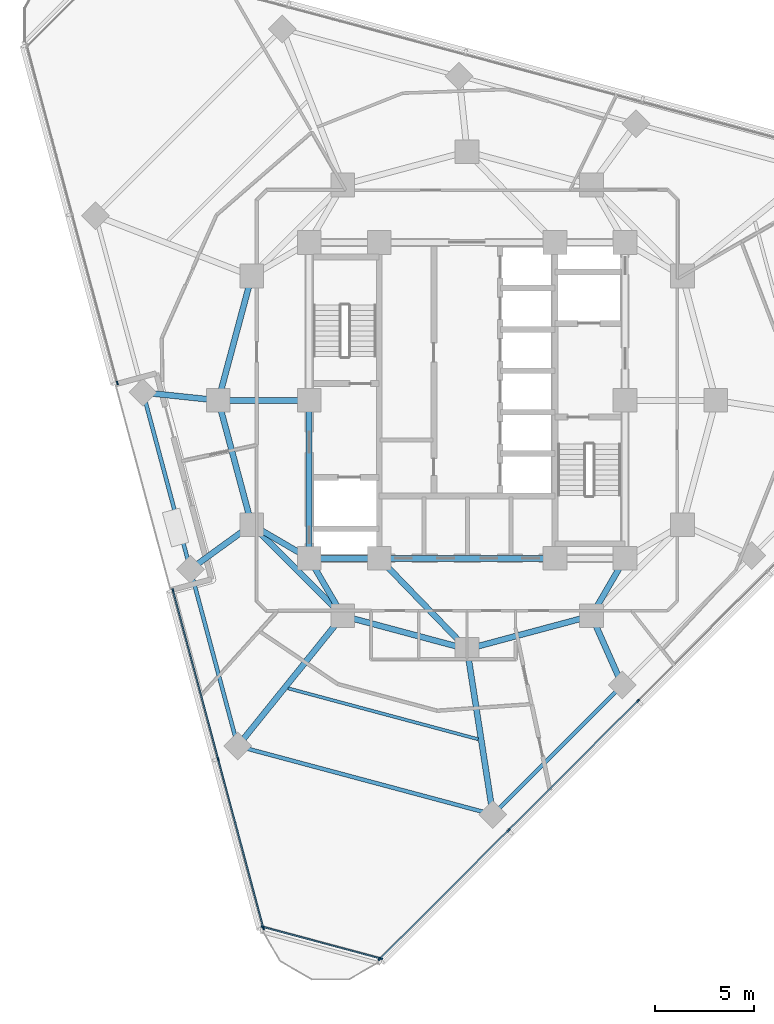
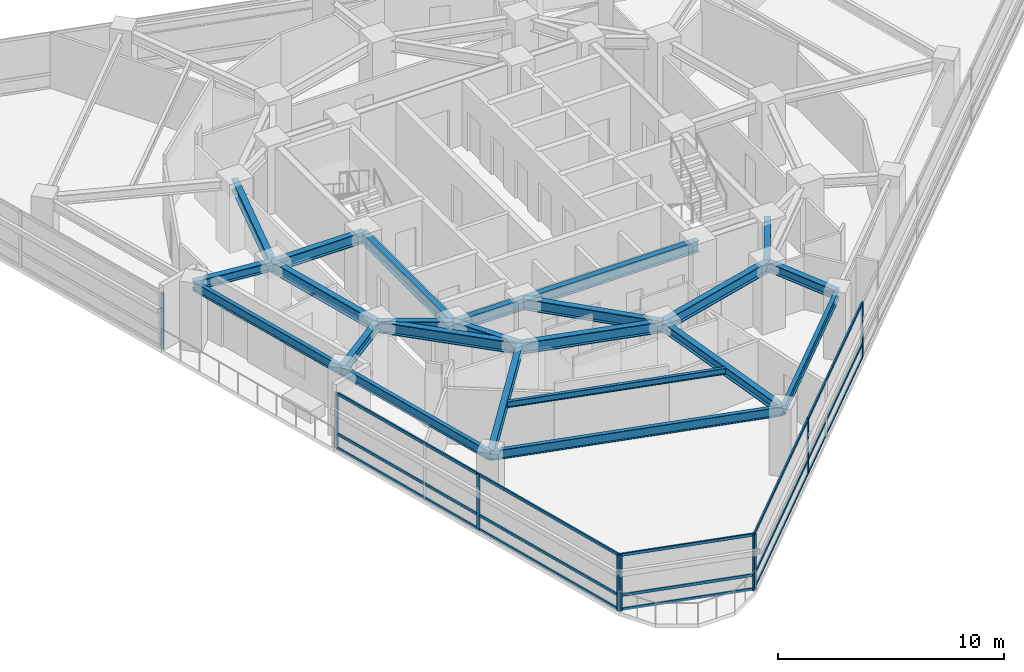
# One storey, part 2 of 14: 24 members, 23 beams, 4 elements without a shape of their own.
"""IFC4 building model written with IfcOpenShell, lengths in metres."""

from ifc_helpers import new_model, si_unit, direction, frame, origin, origin_2d, place, context, subcontext, project, spatial, rectangle, i_section, extrude, material, layer, layer_set, material_profile, profile_set, type_object, element, aggregate, save


model = new_model("IFC4")

# Units and contexts
model_context = context("Model", 3, precision=1e-05, world=origin(), true_north=direction((0.0, 1.0)))
body_context = subcontext(model_context, "Body", "Model", "MODEL_VIEW")
ifc_project = project(units=[si_unit("LENGTHUNIT", "METRE"), si_unit("AREAUNIT", "SQUARE_METRE"), si_unit("VOLUMEUNIT", "CUBIC_METRE"), si_unit("PLANEANGLEUNIT", "RADIAN"), si_unit("MASSUNIT", "GRAM", prefix="KILO")], contexts=[model_context])

# Site, building, storey
site_placement = place(None, origin())
site = spatial("IfcSite", under=ifc_project, at=site_placement, CompositionType="ELEMENT")
building_placement = place(site_placement, origin())
building = spatial("IfcBuilding", under=site, at=building_placement, Name="Terralouvre Media Tower", CompositionType="ELEMENT")
storey_placement = place(building_placement, frame((0.0, 0.0, 206.39990234375)))
storey = spatial("IfcBuildingStorey", under=building, at=storey_placement, Name="L53", CompositionType="ELEMENT", Elevation=206.39990234375)

# Beam
ifc_material_1 = material(Name="Structural steel S355J2", Category="steel")
ifc_material_profile_1 = material_profile(ifc_material_1, i_section(OverallWidth=0.159912109375, OverallDepth=0.330078125, WebThickness=0.007568359375, FlangeThickness=0.011474609375, at=origin_2d()), Name="IPE 330")
ifc_profile_set_1 = profile_set([ifc_material_profile_1], Name="Structural steel S355J2")
beam_type_1 = type_object("IfcBeamType", Name="Composite Floor Joist J-IPE330 (IPE 330)", PredefinedType="JOIST", material=ifc_profile_set_1)
beam_1_placement = place(storey_placement, frame((-9.067626953125, -14.58349609375, 3.335205078125), z_axis=(0.965923672222, -0.258827084055, 0.0), x_axis=(0.258827084055, 0.965923672222, 0.0)))
element("IfcBeam", 1, at=beam_1_placement, inside=storey, type_object=beam_type_1, Name="L53 Framing Beam JT-L53-01", PredefinedType="JOIST", context=body_context, shape_type="SweptSolid", body=[
    extrude(i_section(OverallWidth=0.159912109375, OverallDepth=0.330078125, WebThickness=0.007568359375, FlangeThickness=0.011474609375, at=origin_2d()), origin(), (0.0, 0.0, 1.0), 9.96826171875),
])

# Curtain wall, members
ifc_material_2 = material(Name="Low-iron laminated double glazing with solar-control coating", Category="glass")
ifc_layer_1 = layer(ifc_material_2, 0.1650390625, Name="Production Studio Tower Curtain Wall CW-03")
ifc_layer_set_1 = layer_set([ifc_layer_1], Name="Low-iron laminated double glazing with solar-control coating")
curtain_wall_type_1 = type_object("IfcCurtainWallType", Name="Production Studio Tower Curtain Wall CW-03", PredefinedType="NOTDEFINED", material=ifc_layer_set_1)
curtain_wall_1_placement = place(storey_placement, origin())
curtain_wall_1 = element("IfcCurtainWall", 2, at=curtain_wall_1_placement, inside=storey, type_object=curtain_wall_type_1, Name="L53 Facade Curtain Wall F0", PredefinedType="NOTDEFINED")
ifc_material_3 = material(Name="Anodised extruded aluminium 6063-T6", Category="aluminium")
ifc_material_profile_2 = material_profile(ifc_material_3, rectangle(XDim=0.074951171875, YDim=0.14990234375, at=origin_2d()), Name="ALU 75x150")
ifc_profile_set_2 = profile_set([ifc_material_profile_2], Name="Anodised extruded aluminium 6063-T6")
member_type_1 = type_object("IfcMemberType", Name="Curtain-Wall Horizontal Transom TR-150", PredefinedType="USERDEFINED", material=ifc_profile_set_2)
member_1_placement = place(storey_placement, frame((-4.399658203125, -28.27587890625, 0.03759765625), z_axis=(0.707106781187, 0.707106781187, 0.0), x_axis=(-0.707106781187, 0.707106781187, 0.0)))
member_1 = element("IfcMember", 3, at=member_1_placement, type_object=member_type_1, Name="CW-03 transom 1.1", ObjectType="TRANSOM", PredefinedType="USERDEFINED", context=body_context, shape_type="SweptSolid", body=[
    extrude(rectangle(XDim=0.074951171875, YDim=0.14990234375, at=origin_2d()), origin(), (0.0, 0.0, 1.0), 9.15966796875),
])
member_2_placement = place(storey_placement, frame((-4.399658203125, -28.27587890625, 0.800048828125), z_axis=(0.707106781187, 0.707106781187, 0.0), x_axis=(-0.707106781187, 0.707106781187, 0.0)))
member_2 = element("IfcMember", 4, at=member_2_placement, type_object=member_type_1, Name="CW-03 transom 1.2", ObjectType="TRANSOM", PredefinedType="USERDEFINED", context=body_context, shape_type="SweptSolid", body=[
    extrude(rectangle(XDim=0.074951171875, YDim=0.14990234375, at=origin_2d()), origin(), (0.0, 0.0, 1.0), 9.15966796875),
])
member_3_placement = place(storey_placement, frame((-4.399658203125, -28.27587890625, 2.962646484375), z_axis=(0.707106781187, 0.707106781187, 0.0), x_axis=(-0.707106781187, 0.707106781187, 0.0)))
member_3 = element("IfcMember", 5, at=member_3_placement, type_object=member_type_1, Name="CW-03 transom 1.3", ObjectType="TRANSOM", PredefinedType="USERDEFINED", context=body_context, shape_type="SweptSolid", body=[
    extrude(rectangle(XDim=0.074951171875, YDim=0.14990234375, at=origin_2d()), origin(), (0.0, 0.0, 1.0), 9.15966796875),
])
member_4_placement = place(storey_placement, frame((2.130126953125, -21.74609375, 0.03759765625), z_axis=(0.707093508293, 0.707120053831, 0.0), x_axis=(-0.707120053831, 0.707093508293, 0.0)))
member_4 = element("IfcMember", 6, at=member_4_placement, type_object=member_type_1, Name="CW-03 transom 2.1", ObjectType="TRANSOM", PredefinedType="USERDEFINED", context=body_context, shape_type="SweptSolid", body=[
    extrude(rectangle(XDim=0.074951171875, YDim=0.14990234375, at=origin_2d()), origin(), (0.0, 0.0, 1.0), 9.197021484375),
])
member_5_placement = place(storey_placement, frame((2.130126953125, -21.74609375, 0.800048828125), z_axis=(0.707093508293, 0.707120053831, 0.0), x_axis=(-0.707120053831, 0.707093508293, 0.0)))
member_5 = element("IfcMember", 7, at=member_5_placement, type_object=member_type_1, Name="CW-03 transom 2.2", ObjectType="TRANSOM", PredefinedType="USERDEFINED", context=body_context, shape_type="SweptSolid", body=[
    extrude(rectangle(XDim=0.074951171875, YDim=0.14990234375, at=origin_2d()), origin(), (0.0, 0.0, 1.0), 9.197021484375),
])
member_6_placement = place(storey_placement, frame((2.130126953125, -21.74609375, 2.962646484375), z_axis=(0.707093508293, 0.707120053831, 0.0), x_axis=(-0.707120053831, 0.707093508293, 0.0)))
member_6 = element("IfcMember", 8, at=member_6_placement, type_object=member_type_1, Name="CW-03 transom 2.3", ObjectType="TRANSOM", PredefinedType="USERDEFINED", context=body_context, shape_type="SweptSolid", body=[
    extrude(rectangle(XDim=0.074951171875, YDim=0.14990234375, at=origin_2d()), origin(), (0.0, 0.0, 1.0), 9.197021484375),
])

curtain_wall_2_placement = place(storey_placement, origin())
curtain_wall_2 = element("IfcCurtainWall", 9, at=curtain_wall_2_placement, inside=storey, type_object=curtain_wall_type_1, Name="L53 Right Flank Curtain Wall F2", PredefinedType="NOTDEFINED")
member_7_placement = place(storey_placement, frame((-14.890625, -9.658203125, 0.03759765625), z_axis=(0.258817186823, -0.965926324212, 0.0), x_axis=(0.965926324212, 0.258817186823, 0.0)))
member_7 = element("IfcMember", 10, at=member_7_placement, type_object=member_type_1, Name="CW-03 transom 1.1", ObjectType="TRANSOM", PredefinedType="USERDEFINED", context=body_context, shape_type="SweptSolid", body=[
    extrude(rectangle(XDim=0.074951171875, YDim=0.14990234375, at=origin_2d()), origin(), (0.0, 0.0, 1.0), 8.77734375),
])
member_8_placement = place(storey_placement, frame((-14.890625, -9.658203125, 0.800048828125), z_axis=(0.258817186823, -0.965926324212, 0.0), x_axis=(0.965926324212, 0.258817186823, 0.0)))
member_8 = element("IfcMember", 11, at=member_8_placement, type_object=member_type_1, Name="CW-03 transom 1.2", ObjectType="TRANSOM", PredefinedType="USERDEFINED", context=body_context, shape_type="SweptSolid", body=[
    extrude(rectangle(XDim=0.074951171875, YDim=0.14990234375, at=origin_2d()), origin(), (0.0, 0.0, 1.0), 8.77734375),
])
member_9_placement = place(storey_placement, frame((-14.890625, -9.658203125, 2.962646484375), z_axis=(0.258817186823, -0.965926324212, 0.0), x_axis=(0.965926324212, 0.258817186823, 0.0)))
member_9 = element("IfcMember", 12, at=member_9_placement, type_object=member_type_1, Name="CW-03 transom 1.3", ObjectType="TRANSOM", PredefinedType="USERDEFINED", context=body_context, shape_type="SweptSolid", body=[
    extrude(rectangle(XDim=0.074951171875, YDim=0.14990234375, at=origin_2d()), origin(), (0.0, 0.0, 1.0), 8.77734375),
])
member_10_placement = place(storey_placement, frame((-12.599365234375, -18.208984375, 0.03759765625), z_axis=(0.258817186823, -0.965926324212, 0.0), x_axis=(0.965926324212, 0.258817186823, 0.0)))
member_10 = element("IfcMember", 13, at=member_10_placement, type_object=member_type_1, Name="CW-03 transom 2.1", ObjectType="TRANSOM", PredefinedType="USERDEFINED", context=body_context, shape_type="SweptSolid", body=[
    extrude(rectangle(XDim=0.074951171875, YDim=0.14990234375, at=origin_2d()), origin(), (0.0, 0.0, 1.0), 8.77734375),
])
member_11_placement = place(storey_placement, frame((-12.599365234375, -18.208984375, 0.800048828125), z_axis=(0.258817186823, -0.965926324212, 0.0), x_axis=(0.965926324212, 0.258817186823, 0.0)))
member_11 = element("IfcMember", 14, at=member_11_placement, type_object=member_type_1, Name="CW-03 transom 2.2", ObjectType="TRANSOM", PredefinedType="USERDEFINED", context=body_context, shape_type="SweptSolid", body=[
    extrude(rectangle(XDim=0.074951171875, YDim=0.14990234375, at=origin_2d()), origin(), (0.0, 0.0, 1.0), 8.77734375),
])
member_12_placement = place(storey_placement, frame((-12.599365234375, -18.208984375, 2.962646484375), z_axis=(0.258817186823, -0.965926324212, 0.0), x_axis=(0.965926324212, 0.258817186823, 0.0)))
member_12 = element("IfcMember", 15, at=member_12_placement, type_object=member_type_1, Name="CW-03 transom 2.3", ObjectType="TRANSOM", PredefinedType="USERDEFINED", context=body_context, shape_type="SweptSolid", body=[
    extrude(rectangle(XDim=0.074951171875, YDim=0.14990234375, at=origin_2d()), origin(), (0.0, 0.0, 1.0), 8.77734375),
])

ifc_material_4 = material(Name="Low-iron laminated double glazing with solar-control coating", Category="glass")
ifc_layer_2 = layer(ifc_material_4, 0.1650390625, Name="Rounded Wind-Corner Curved Glazing CW-04")
ifc_layer_set_2 = layer_set([ifc_layer_2], Name="Low-iron laminated double glazing with solar-control coating")
curtain_wall_type_2 = type_object("IfcCurtainWallType", Name="Rounded Wind-Corner Curved Glazing CW-04", PredefinedType="NOTDEFINED", material=ifc_layer_set_2)
curtain_wall_3_placement = place(storey_placement, origin())
curtain_wall_3 = element("IfcCurtainWall", 16, at=curtain_wall_3_placement, inside=storey, type_object=curtain_wall_type_2, Name="L53 Rounded Wind-Corner Curtain Wall C0", PredefinedType="NOTDEFINED")
member_13_placement = place(storey_placement, frame((-10.3154296875, -26.675048828125, 0.03759765625), z_axis=(0.965924368155, -0.25882448687, 0.0), x_axis=(0.25882448687, 0.965924368155, 0.0)))
member_13 = element("IfcMember", 17, at=member_13_placement, type_object=member_type_1, Name="CW-04 transom 1.1", ObjectType="TRANSOM", PredefinedType="USERDEFINED", context=body_context, shape_type="SweptSolid", body=[
    extrude(rectangle(XDim=0.074951171875, YDim=0.14990234375, at=origin_2d()), origin(), (0.0, 0.0, 1.0), 6.119873046875),
])
member_14_placement = place(storey_placement, frame((-10.3154296875, -26.675048828125, 0.800048828125), z_axis=(0.965924368155, -0.25882448687, 0.0), x_axis=(0.25882448687, 0.965924368155, 0.0)))
member_14 = element("IfcMember", 18, at=member_14_placement, type_object=member_type_1, Name="CW-04 transom 1.2", ObjectType="TRANSOM", PredefinedType="USERDEFINED", context=body_context, shape_type="SweptSolid", body=[
    extrude(rectangle(XDim=0.074951171875, YDim=0.14990234375, at=origin_2d()), origin(), (0.0, 0.0, 1.0), 6.119873046875),
])
member_15_placement = place(storey_placement, frame((-10.3154296875, -26.675048828125, 2.962646484375), z_axis=(0.965924368155, -0.25882448687, 0.0), x_axis=(0.25882448687, 0.965924368155, 0.0)))
member_15 = element("IfcMember", 19, at=member_15_placement, type_object=member_type_1, Name="CW-04 transom 1.3", ObjectType="TRANSOM", PredefinedType="USERDEFINED", context=body_context, shape_type="SweptSolid", body=[
    extrude(rectangle(XDim=0.074951171875, YDim=0.14990234375, at=origin_2d()), origin(), (0.0, 0.0, 1.0), 6.119873046875),
])

# Member
ifc_material_5 = material(Name="Anodised extruded aluminium 6063-T6", Category="aluminium")
ifc_material_profile_3 = material_profile(ifc_material_5, rectangle(XDim=0.074951171875, YDim=0.179931640625, at=origin_2d()), Name="ALU 75x180")
ifc_profile_set_3 = profile_set([ifc_material_profile_3], Name="Anodised extruded aluminium 6063-T6")
member_type_2 = type_object("IfcMemberType", Name="Curtain-Wall Vertical Mullion ML-180", PredefinedType="MULLION", material=ifc_profile_set_3)
member_16_placement = place(storey_placement, frame((-4.42626953125, -28.30224609375, 0.0), z_axis=(0.0, 0.0, 1.0), x_axis=(-0.707106781187, 0.707106781187, 0.0)))
member_16 = element("IfcMember", 20, at=member_16_placement, type_object=member_type_2, Name="CW-03 mullion 1", PredefinedType="MULLION", context=body_context, shape_type="SweptSolid", body=[
    extrude(rectangle(XDim=0.074951171875, YDim=0.179931640625, at=origin_2d()), origin(), (0.0, 0.0, 1.0), 3.0),
])

member_17_placement = place(storey_placement, frame((2.103515625, -21.7724609375, 0.0), z_axis=(0.0, 0.0, 1.0), x_axis=(-0.707106781187, 0.707106781187, 0.0)))
member_17 = element("IfcMember", 21, at=member_17_placement, type_object=member_type_2, Name="CW-03 mullion 2", PredefinedType="MULLION", context=body_context, shape_type="SweptSolid", body=[
    extrude(rectangle(XDim=0.074951171875, YDim=0.179931640625, at=origin_2d()), origin(), (0.0, 0.0, 1.0), 3.0),
])

member_18_placement = place(storey_placement, frame((8.659912109375, -15.21630859375, 0.0), z_axis=(0.0, 0.0, 1.0), x_axis=(-0.707106781187, 0.707106781187, 0.0)))
member_18 = element("IfcMember", 22, at=member_18_placement, type_object=member_type_2, Name="CW-03 mullion 3", PredefinedType="MULLION", context=body_context, shape_type="SweptSolid", body=[
    extrude(rectangle(XDim=0.074951171875, YDim=0.179931640625, at=origin_2d()), origin(), (0.0, 0.0, 1.0), 3.0),
])

aggregate(curtain_wall_1, [member_16, member_17, member_18, member_1, member_2, member_3, member_4, member_5, member_6])

# Curtain wall, member
curtain_wall_4_placement = place(storey_placement, origin())
curtain_wall_4 = element("IfcCurtainWall", 23, at=curtain_wall_4_placement, inside=storey, type_object=curtain_wall_type_1, Name="L53 Left Flank Curtain Wall F2", PredefinedType="NOTDEFINED")
member_19_placement = place(storey_placement, frame((-17.715087890625, 0.882568359375, 0.0), z_axis=(0.0, 0.0, 1.0), x_axis=(0.965925858669, 0.25881892426, 0.0)))
member_19 = element("IfcMember", 24, at=member_19_placement, type_object=member_type_2, Name="CW-03 mullion 3", PredefinedType="MULLION", context=body_context, shape_type="SweptSolid", body=[
    extrude(rectangle(XDim=0.074951171875, YDim=0.179931640625, at=origin_2d()), origin(), (0.0, 0.0, 1.0), 3.0),
])
aggregate(curtain_wall_4, [member_19])

# Member
member_20_placement = place(storey_placement, frame((-14.900390625, -9.621826171875, 0.0), z_axis=(0.0, 0.0, 1.0), x_axis=(0.965925858669, 0.25881892426, 0.0)))
member_20 = element("IfcMember", 25, at=member_20_placement, type_object=member_type_2, Name="CW-03 mullion 1", PredefinedType="MULLION", context=body_context, shape_type="SweptSolid", body=[
    extrude(rectangle(XDim=0.074951171875, YDim=0.179931640625, at=origin_2d()), origin(), (0.0, 0.0, 1.0), 3.0),
])

member_21_placement = place(storey_placement, frame((-12.609130859375, -18.172607421875, 0.0), z_axis=(0.0, 0.0, 1.0), x_axis=(0.965925858669, 0.25881892426, 0.0)))
member_21 = element("IfcMember", 26, at=member_21_placement, type_object=member_type_2, Name="CW-03 mullion 2", PredefinedType="MULLION", context=body_context, shape_type="SweptSolid", body=[
    extrude(rectangle(XDim=0.074951171875, YDim=0.179931640625, at=origin_2d()), origin(), (0.0, 0.0, 1.0), 3.0),
])

member_22_placement = place(storey_placement, frame((-10.31787109375, -26.7236328125, 0.0), z_axis=(0.0, 0.0, 1.0), x_axis=(0.965925858669, 0.25881892426, 0.0)))
member_22 = element("IfcMember", 27, at=member_22_placement, type_object=member_type_2, Name="CW-03 mullion 3", PredefinedType="MULLION", context=body_context, shape_type="SweptSolid", body=[
    extrude(rectangle(XDim=0.074951171875, YDim=0.179931640625, at=origin_2d()), origin(), (0.0, 0.0, 1.0), 3.0),
])

aggregate(curtain_wall_2, [member_20, member_21, member_22, member_7, member_8, member_9, member_10, member_11, member_12])

member_23_placement = place(storey_placement, frame((-10.351806640625, -26.665283203125, 0.0), z_axis=(0.0, 0.0, 1.0), x_axis=(0.258818728144, 0.965925911218, 0.0)))
member_23 = element("IfcMember", 28, at=member_23_placement, type_object=member_type_2, Name="CW-04 mullion 1", PredefinedType="MULLION", context=body_context, shape_type="SweptSolid", body=[
    extrude(rectangle(XDim=0.074951171875, YDim=0.179931640625, at=origin_2d()), origin(), (0.0, 0.0, 1.0), 3.0),
])

member_24_placement = place(storey_placement, frame((-4.367919921875, -28.268798828125, 0.0), z_axis=(0.0, 0.0, 1.0), x_axis=(0.258818728144, 0.965925911218, 0.0)))
member_24 = element("IfcMember", 29, at=member_24_placement, type_object=member_type_2, Name="CW-04 mullion 2", PredefinedType="MULLION", context=body_context, shape_type="SweptSolid", body=[
    extrude(rectangle(XDim=0.074951171875, YDim=0.179931640625, at=origin_2d()), origin(), (0.0, 0.0, 1.0), 3.0),
])

aggregate(curtain_wall_3, [member_23, member_24, member_13, member_14, member_15])

# Beams
ifc_material_6 = material(Name="Structural steel S355J2", Category="steel")
ifc_material_profile_4 = material_profile(ifc_material_6, i_section(OverallWidth=0.199951171875, OverallDepth=0.5, WebThickness=0.01025390625, FlangeThickness=0.01611328125, at=origin_2d()), Name="IPE 500")
ifc_profile_set_4 = profile_set([ifc_material_profile_4], Name="Structural steel S355J2")
beam_type_2 = type_object("IfcBeamType", Name="Perimeter Spandrel Beam SPB-500 (IPE 500)", PredefinedType="SPANDREL", material=ifc_profile_set_4)
beam_2_placement = place(storey_placement, frame((-14.016357421875, -8.55517578125, 3.25), z_axis=(0.258832601786, -0.965922193685, 0.0), x_axis=(0.965922193685, 0.258832601786, 0.0)))
element("IfcBeam", 30, at=beam_2_placement, inside=storey, type_object=beam_type_2, Name="L53 Framing Beam BM-L53-PR01", PredefinedType="SPANDREL", context=body_context, shape_type="SweptSolid", body=[
    extrude(i_section(OverallWidth=0.199951171875, OverallDepth=0.5, WebThickness=0.01025390625, FlangeThickness=0.01611328125, at=origin_2d()), origin(), (0.0, 0.0, 1.0), 9.27197265625),
])
beam_3_placement = place(storey_placement, frame((-11.616455078125, -17.51123046875, 3.25), z_axis=(0.965926789058, -0.258815451972, 0.0), x_axis=(0.258815451972, 0.965926789058, 0.0)))
element("IfcBeam", 31, at=beam_3_placement, inside=storey, type_object=beam_type_2, Name="L53 Framing Beam BM-L53-PR02", PredefinedType="SPANDREL", context=body_context, shape_type="SweptSolid", body=[
    extrude(i_section(OverallWidth=0.199951171875, OverallDepth=0.5, WebThickness=0.01025390625, FlangeThickness=0.01611328125, at=origin_2d()), origin(), (0.0, 0.0, 1.0), 13.376953125),
])
beam_4_placement = place(storey_placement, frame((1.3046875, -20.973388671875, 3.25), z_axis=(0.707106781187, 0.707106781187, 0.0), x_axis=(-0.707106781187, 0.707106781187, 0.0)))
element("IfcBeam", 32, at=beam_4_placement, inside=storey, type_object=beam_type_2, Name="L53 Framing Beam BM-L53-PR03", PredefinedType="SPANDREL", context=body_context, shape_type="SweptSolid", body=[
    extrude(i_section(OverallWidth=0.199951171875, OverallDepth=0.5, WebThickness=0.01025390625, FlangeThickness=0.01611328125, at=origin_2d()), origin(), (0.0, 0.0, 1.0), 9.271728515625),
])
beam_5_placement = place(storey_placement, frame((-16.416015625, 0.40087890625, 3.25), z_axis=(0.258808034669, -0.965928776458, 0.0), x_axis=(0.965928776458, 0.258808034669, 0.0)))
element("IfcBeam", 33, at=beam_5_placement, inside=storey, type_object=beam_type_2, Name="L53 Framing Beam BM-L53-PR12", PredefinedType="SPANDREL", context=body_context, shape_type="SweptSolid", body=[
    extrude(i_section(OverallWidth=0.199951171875, OverallDepth=0.5, WebThickness=0.01025390625, FlangeThickness=0.01611328125, at=origin_2d()), origin(), (0.0, 0.0, 1.0), 9.27197265625),
])
ifc_material_7 = material(Name="Structural steel S355J2", Category="steel")
ifc_material_profile_5 = material_profile(ifc_material_7, i_section(OverallWidth=0.300048828125, OverallDepth=0.5, WebThickness=0.014404296875, FlangeThickness=0.028076171875, at=origin_2d()), Name="HEB 500")
ifc_profile_set_5 = profile_set([ifc_material_profile_5], Name="Structural steel S355J2")
beam_type_3 = type_object("IfcBeamType", Name="Primary Floor Girder B-HEB500 (HEB 500)", PredefinedType="BEAM", material=ifc_profile_set_5)
beam_6_placement = place(storey_placement, frame((-10.911865234375, -6.300048828125, 3.25), z_axis=(-0.809068873767, -0.587713839807, 0.0), x_axis=(0.587713839807, -0.809068873767, 0.0)))
element("IfcBeam", 34, at=beam_6_placement, inside=storey, type_object=beam_type_3, Name="L53 Framing Beam BM-L53-RD01", PredefinedType="BEAM", context=body_context, shape_type="SweptSolid", body=[
    extrude(i_section(OverallWidth=0.300048828125, OverallDepth=0.5, WebThickness=0.014404296875, FlangeThickness=0.028076171875, at=origin_2d()), origin(), (0.0, 0.0, 1.0), 3.837158203125),
])
for number, where, z_axis, x_axis, name in (
    (35, (-6.300048828125, -10.911865234375, 3.25), (-0.62734749454, -0.778739443649, 0.0), (0.778739443649, -0.62734749454, 0.0), "L53 Framing Beam BM-L53-RD02"),
    (36, (0.0, -12.60009765625, 3.25), (0.153957660154, -0.988077445791, 0.0), (0.988077445791, 0.153957660154, 0.0), "L53 Framing Beam BM-L53-RD03"),
):
    element("IfcBeam", number, at=place(storey_placement, frame(where, z_axis=z_axis, x_axis=x_axis)), inside=storey, type_object=beam_type_3, Name=name, PredefinedType="BEAM", context=body_context, shape_type="SweptSolid", body=[
        extrude(i_section(OverallWidth=0.300048828125, OverallDepth=0.5, WebThickness=0.014404296875, FlangeThickness=0.028076171875, at=origin_2d()), origin(), (0.0, 0.0, 1.0), 8.474365234375),
    ])
beam_7_placement = place(storey_placement, frame((6.300048828125, -10.911865234375, 3.25), z_axis=(0.406758229915, -0.913535846257, 0.0), x_axis=(0.913535846257, 0.406758229915, 0.0)))
element("IfcBeam", 37, at=beam_7_placement, inside=storey, type_object=beam_type_3, Name="L53 Framing Beam BM-L53-RD04", PredefinedType="BEAM", context=body_context, shape_type="SweptSolid", body=[
    extrude(i_section(OverallWidth=0.300048828125, OverallDepth=0.5, WebThickness=0.014404296875, FlangeThickness=0.028076171875, at=origin_2d()), origin(), (0.0, 0.0, 1.0), 3.837158203125),
])
beam_8_placement = place(storey_placement, frame((-12.60009765625, 0.0, 3.25), z_axis=(-0.994527048272, 0.104479425033, 0.0), x_axis=(-0.104479425033, -0.994527048272, 0.0)))
element("IfcBeam", 38, at=beam_8_placement, inside=storey, type_object=beam_type_3, Name="L53 Framing Beam BM-L53-RD12", PredefinedType="BEAM", context=body_context, shape_type="SweptSolid", body=[
    extrude(i_section(OverallWidth=0.300048828125, OverallDepth=0.5, WebThickness=0.014404296875, FlangeThickness=0.028076171875, at=origin_2d()), origin(), (0.0, 0.0, 1.0), 3.8369140625),
])
ifc_material_8 = material(Name="Structural steel S460M", Category="steel")
ifc_material_profile_6 = material_profile(ifc_material_8, i_section(OverallWidth=0.300048828125, OverallDepth=0.60009765625, WebThickness=0.015380859375, FlangeThickness=0.030029296875, at=origin_2d()), Name="HEB 600")
ifc_profile_set_6 = profile_set([ifc_material_profile_6], Name="Structural steel S460M")
beam_type_4 = type_object("IfcBeamType", Name="Primary Floor Girder B-HEB600 (HEB 600)", PredefinedType="BEAM", material=ifc_profile_set_6)
beam_9_placement = place(storey_placement, frame((-8.0, -8.0, 3.2001953125), z_axis=(1.0, 0.0, 0.0), x_axis=(0.0, 1.0, 0.0)))
element("IfcBeam", 39, at=beam_9_placement, inside=storey, type_object=beam_type_4, Name="L53 Framing Beam BM-L53-CPR01", PredefinedType="BEAM", context=body_context, shape_type="SweptSolid", body=[
    extrude(i_section(OverallWidth=0.300048828125, OverallDepth=0.60009765625, WebThickness=0.015380859375, FlangeThickness=0.030029296875, at=origin_2d()), origin(), (0.0, 0.0, 1.0), 3.550048828125),
])
beam_10_placement = place(storey_placement, frame((-4.449951171875, -8.0, 3.2001953125), z_axis=(1.0, 0.0, 0.0), x_axis=(0.0, 1.0, 0.0)))
element("IfcBeam", 40, at=beam_10_placement, inside=storey, type_object=beam_type_4, Name="L53 Framing Beam BM-L53-CPR02", PredefinedType="BEAM", context=body_context, shape_type="SweptSolid", body=[
    extrude(i_section(OverallWidth=0.300048828125, OverallDepth=0.60009765625, WebThickness=0.015380859375, FlangeThickness=0.030029296875, at=origin_2d()), origin(), (0.0, 0.0, 1.0), 8.89990234375),
])
beam_11_placement = place(storey_placement, frame((-8.0, 0.0, 3.2001953125), z_axis=(0.0, -1.0, 0.0), x_axis=(1.0, 0.0, 0.0)))
element("IfcBeam", 41, at=beam_11_placement, inside=storey, type_object=beam_type_4, Name="L53 Framing Beam BM-L53-CPR10", PredefinedType="BEAM", context=body_context, shape_type="SweptSolid", body=[
    extrude(i_section(OverallWidth=0.300048828125, OverallDepth=0.60009765625, WebThickness=0.015380859375, FlangeThickness=0.030029296875, at=origin_2d()), origin(), (0.0, 0.0, 1.0), 8.0),
])
beam_12_placement = place(storey_placement, frame((-10.911865234375, -6.300048828125, 3.2001953125), z_axis=(0.707106781187, -0.707106781187, 0.0), x_axis=(0.707106781187, 0.707106781187, 0.0)))
element("IfcBeam", 42, at=beam_12_placement, inside=storey, type_object=beam_type_4, Name="L53 Framing Beam BM-L53-MR01", PredefinedType="BEAM", context=body_context, shape_type="SweptSolid", body=[
    extrude(i_section(OverallWidth=0.300048828125, OverallDepth=0.60009765625, WebThickness=0.015380859375, FlangeThickness=0.030029296875, at=origin_2d()), origin(), (0.0, 0.0, 1.0), 6.52197265625),
])
for number, where, z_axis, x_axis, name in (
    (43, (-6.300048828125, -10.911865234375, 3.2001953125), (0.965920481897, -0.258838989821, 0.0), (0.258838989821, 0.965920481897, 0.0), "L53 Framing Beam BM-L53-MR02"),
    (44, (0.0, -12.60009765625, 3.2001953125), (0.965920481897, 0.258838989821, 0.0), (-0.258838989821, 0.965920481897, 0.0), "L53 Framing Beam BM-L53-MR03"),
    (45, (-10.911865234375, 6.300048828125, 3.2001953125), (-0.258838989821, -0.965920481897, 0.0), (0.965920481897, -0.258838989821, 0.0), "L53 Framing Beam BM-L53-MR11"),
    (46, (-12.60009765625, 0.0, 3.2001953125), (0.258838989821, -0.965920481897, 0.0), (0.965920481897, 0.258838989821, 0.0), "L53 Framing Beam BM-L53-MR12"),
):
    element("IfcBeam", number, at=place(storey_placement, frame(where, z_axis=z_axis, x_axis=x_axis)), inside=storey, type_object=beam_type_4, Name=name, PredefinedType="BEAM", context=body_context, shape_type="SweptSolid", body=[
        extrude(i_section(OverallWidth=0.300048828125, OverallDepth=0.60009765625, WebThickness=0.015380859375, FlangeThickness=0.030029296875, at=origin_2d()), origin(), (0.0, 0.0, 1.0), 6.522216796875),
    ])
for number, where, z_axis, x_axis, name in (
    (47, (-8.0, -8.0, 3.2001953125), (-0.863602894532, 0.504172629717, 0.0), (-0.504172629717, -0.863602894532, 0.0), "L53 Framing Beam BM-L53-CM01"),
    (48, (-8.0, -8.0, 3.2001953125), (0.504172629717, -0.863602894532, 0.0), (0.863602894532, 0.504172629717, 0.0), "L53 Framing Beam BM-L53-CM02"),
):
    element("IfcBeam", number, at=place(storey_placement, frame(where, z_axis=z_axis, x_axis=x_axis)), inside=storey, type_object=beam_type_4, Name=name, PredefinedType="BEAM", context=body_context, shape_type="SweptSolid", body=[
        extrude(i_section(OverallWidth=0.300048828125, OverallDepth=0.60009765625, WebThickness=0.015380859375, FlangeThickness=0.030029296875, at=origin_2d()), origin(), (0.0, 0.0, 1.0), 3.371826171875),
    ])
beam_13_placement = place(storey_placement, frame((-4.449951171875, -8.0, 3.2001953125), z_axis=(0.695279715726, -0.718739255155, 0.0), x_axis=(0.718739255155, 0.695279715726, 0.0)))
element("IfcBeam", 49, at=beam_13_placement, inside=storey, type_object=beam_type_4, Name="L53 Framing Beam BM-L53-CM03", PredefinedType="BEAM", context=body_context, shape_type="SweptSolid", body=[
    extrude(i_section(OverallWidth=0.300048828125, OverallDepth=0.60009765625, WebThickness=0.015380859375, FlangeThickness=0.030029296875, at=origin_2d()), origin(), (0.0, 0.0, 1.0), 6.400146484375),
])
beam_14_placement = place(storey_placement, frame((8.0, -8.0, 3.2001953125), z_axis=(-0.504172629717, -0.863602894532, 0.0), x_axis=(0.863602894532, -0.504172629717, 0.0)))
element("IfcBeam", 50, at=beam_14_placement, inside=storey, type_object=beam_type_4, Name="L53 Framing Beam BM-L53-CM04", PredefinedType="BEAM", context=body_context, shape_type="SweptSolid", body=[
    extrude(i_section(OverallWidth=0.300048828125, OverallDepth=0.60009765625, WebThickness=0.015380859375, FlangeThickness=0.030029296875, at=origin_2d()), origin(), (0.0, 0.0, 1.0), 3.371826171875),
])
beam_15_placement = place(storey_placement, frame((-8.0, 0.0, 3.2001953125), z_axis=(-1.0, 0.0, 0.0), x_axis=(0.0, -1.0, 0.0)))
element("IfcBeam", 51, at=beam_15_placement, inside=storey, type_object=beam_type_4, Name="L53 Framing Beam BM-L53-CM12", PredefinedType="BEAM", context=body_context, shape_type="SweptSolid", body=[
    extrude(i_section(OverallWidth=0.300048828125, OverallDepth=0.60009765625, WebThickness=0.015380859375, FlangeThickness=0.030029296875, at=origin_2d()), origin(), (0.0, 0.0, 1.0), 4.60009765625),
])

save(model, "model.ifc")
